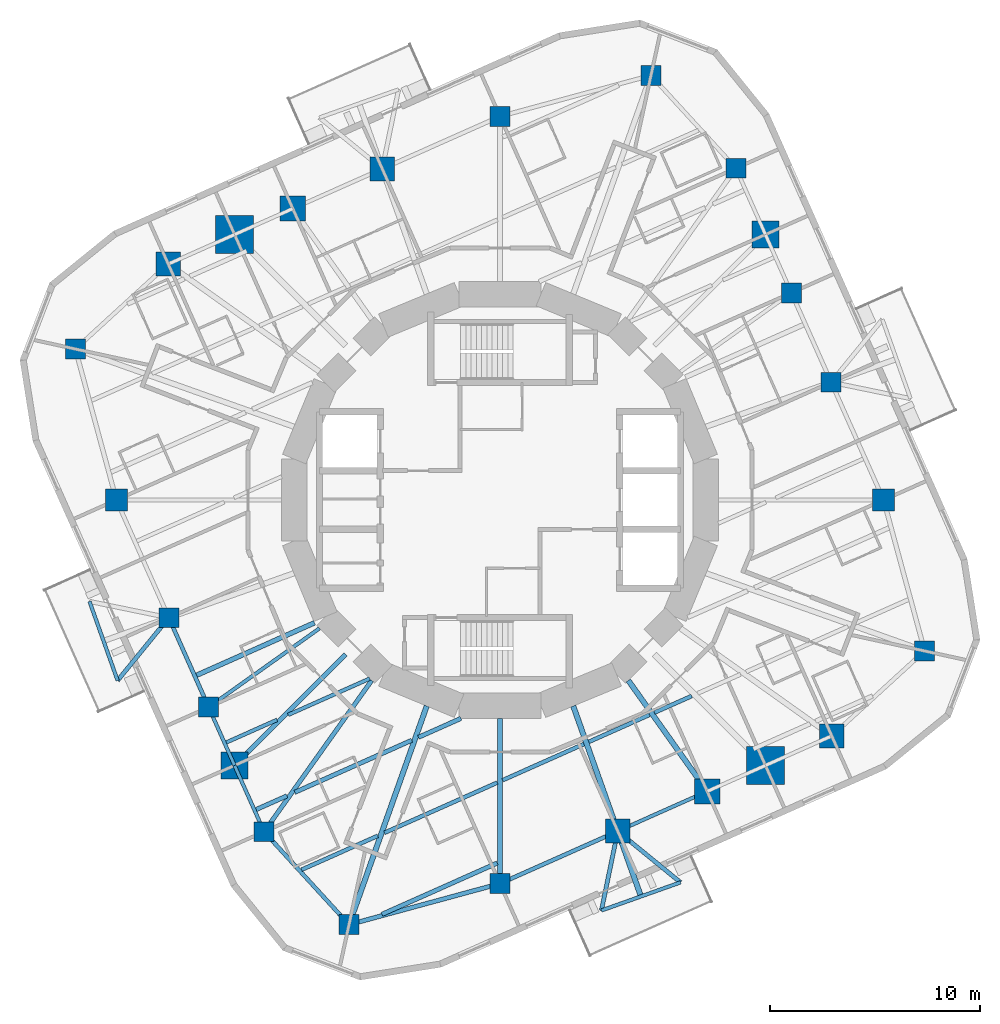
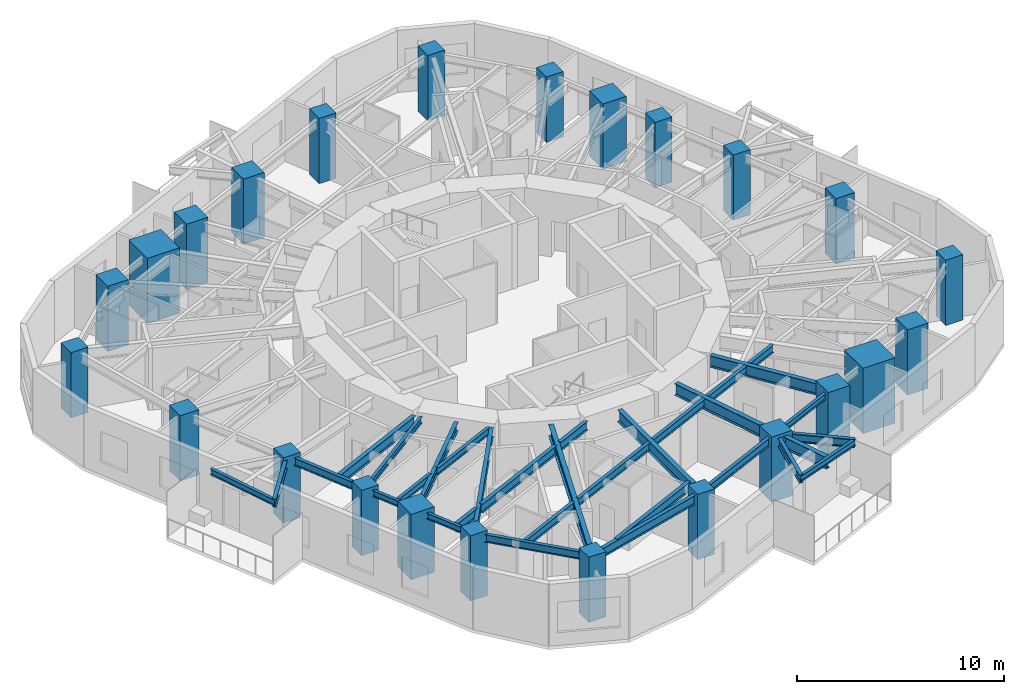
# One storey, part 1 of 12: 31 beams, 24 columns.
"""IFC4 building model written with IfcOpenShell, lengths in metres."""

from ifc_helpers import new_model, si_unit, direction, frame, origin, origin_2d, place, context, subcontext, project, spatial, rectangle, i_section, extrude, material, material_profile, profile_set, type_object, element, save


model = new_model("IFC4")

# Units and contexts
model_context = context("Model", 3, precision=1e-05, world=origin(), true_north=direction((0.0, 1.0)))
body_context = subcontext(model_context, "Body", "Model", "MODEL_VIEW")
ifc_project = project(units=[si_unit("LENGTHUNIT", "METRE"), si_unit("AREAUNIT", "SQUARE_METRE"), si_unit("VOLUMEUNIT", "CUBIC_METRE"), si_unit("PLANEANGLEUNIT", "RADIAN"), si_unit("MASSUNIT", "GRAM", prefix="KILO")], contexts=[model_context])

# Site, building, storey
site_placement = place(None, origin())
site = spatial("IfcSite", under=ifc_project, at=site_placement, CompositionType="ELEMENT")
building_placement = place(site_placement, origin())
building = spatial("IfcBuilding", under=site, at=building_placement, Name="Nakasero Lantern House", CompositionType="ELEMENT")
storey_placement = place(building_placement, frame((0.0, 0.0, 205.550048828125)))
storey = spatial("IfcBuildingStorey", under=building, at=storey_placement, Name="L50", CompositionType="ELEMENT", Elevation=205.550048828125)

# Columns
ifc_material_1 = material(Name="Concrete C45/55", Category="concrete")
ifc_material_profile_1 = material_profile(ifc_material_1, rectangle(XDim=1.300048828125, YDim=1.300048828125, at=origin_2d()), Name="RC 1300x1300")
ifc_profile_set_1 = profile_set([ifc_material_profile_1], Name="Concrete C45/55")
column_type_1 = type_object("IfcColumnType", Name="Mega column RC 1300x1300 C45/55", PredefinedType="COLUMN", material=ifc_profile_set_1)
for number, where, z_axis, x_axis, name in (
    (1, (12.64892578125, 12.64892578125, 0.0), (0.0, 0.0, 1.0), (1.0, 0.0, 0.0), "Column B5-C06 L50"),
    (2, (-12.64892578125, -12.64892578125, 0.0), (0.0, 0.0, 1.0), (1.0, 0.0, 0.0), "Column B5-C18 L50"),
):
    element("IfcColumn", number, at=place(storey_placement, frame(where, z_axis=z_axis, x_axis=x_axis)), inside=storey, type_object=column_type_1, Name=name, PredefinedType="COLUMN", context=body_context, shape_type="SweptSolid", body=[
        extrude(rectangle(XDim=1.300048828125, YDim=1.300048828125, at=origin_2d()), origin(), (0.0, 0.0, 1.0), 3.849853515625),
    ])
ifc_material_2 = material(Name="Concrete C45/55", Category="concrete")
ifc_material_profile_2 = material_profile(ifc_material_2, rectangle(XDim=1.800048828125, YDim=1.800048828125, at=origin_2d()), Name="RC 1800x1800")
ifc_profile_set_2 = profile_set([ifc_material_profile_2], Name="Concrete C45/55")
column_type_2 = type_object("IfcColumnType", Name="Mega column RC 1800x1800 C45/55", PredefinedType="COLUMN", material=ifc_profile_set_2)
for number, where, z_axis, x_axis, name in (
    (3, (-12.64892578125, 12.64892578125, 0.0), (0.0, 0.0, 1.0), (1.0, 0.0, 0.0), "Column B5-C12 L50"),
    (4, (12.64892578125, -12.64892578125, 0.0), (0.0, 0.0, 1.0), (1.0, 0.0, 0.0), "Column B5-C24 L50"),
):
    element("IfcColumn", number, at=place(storey_placement, frame(where, z_axis=z_axis, x_axis=x_axis)), inside=storey, type_object=column_type_2, Name=name, PredefinedType="COLUMN", context=body_context, shape_type="SweptSolid", body=[
        extrude(rectangle(XDim=1.800048828125, YDim=1.800048828125, at=origin_2d()), origin(), (0.0, 0.0, 1.0), 3.849853515625),
    ])
ifc_material_3 = material(Name="Concrete C45/55", Category="concrete")
ifc_material_profile_3 = material_profile(ifc_material_3, rectangle(XDim=1.050048828125, YDim=1.050048828125, at=origin_2d()), Name="RC 1050x1050")
ifc_profile_set_3 = profile_set([ifc_material_profile_3], Name="Concrete C45/55")
column_type_3 = type_object("IfcColumnType", Name="Ring column RC 1050x1050 C45/55", PredefinedType="COLUMN", material=ifc_profile_set_3)
for number, where, z_axis, x_axis, name in (
    (5, (18.280517578125, 0.0, 0.0), (0.0, 0.0, 1.0), (1.0, 0.0, 0.0), "Column B5-C03 L50"),
    (6, (-18.280517578125, 0.0, 0.0), (0.0, 0.0, 1.0), (1.0, 0.0, 0.0), "Column B5-C15 L50"),
):
    element("IfcColumn", number, at=place(storey_placement, frame(where, z_axis=z_axis, x_axis=x_axis)), inside=storey, type_object=column_type_3, Name=name, PredefinedType="COLUMN", context=body_context, shape_type="SweptSolid", body=[
        extrude(rectangle(XDim=1.050048828125, YDim=1.050048828125, at=origin_2d()), origin(), (0.0, 0.0, 1.0), 3.849853515625),
    ])
ifc_material_4 = material(Name="Concrete C45/55", Category="concrete")
ifc_material_profile_4 = material_profile(ifc_material_4, rectangle(XDim=1.14990234375, YDim=1.14990234375, at=origin_2d()), Name="RC 1150x1150")
ifc_profile_set_4 = profile_set([ifc_material_profile_4], Name="Concrete C45/55")
column_type_4 = type_object("IfcColumnType", Name="Ring column RC 1150x1150 C45/55", PredefinedType="COLUMN", material=ifc_profile_set_4)
for number, where, z_axis, x_axis, name in (
    (7, (15.808837890625, -11.241943359375, 0.0), (0.0, 0.0, 1.0), (1.0, 0.0, 0.0), "Column B5-C01 L50"),
    (8, (-5.611328125, 15.781982421875, 0.0), (0.0, 0.0, 1.0), (1.0, 0.0, 0.0), "Column B5-C10 L50"),
    (9, (-15.808837890625, 11.241943359375, 0.0), (0.0, 0.0, 1.0), (1.0, 0.0, 0.0), "Column B5-C13 L50"),
    (10, (5.611328125, -15.781982421875, 0.0), (0.0, 0.0, 1.0), (1.0, 0.0, 0.0), "Column B5-C22 L50"),
):
    element("IfcColumn", number, at=place(storey_placement, frame(where, z_axis=z_axis, x_axis=x_axis)), inside=storey, type_object=column_type_4, Name=name, PredefinedType="COLUMN", context=body_context, shape_type="SweptSolid", body=[
        extrude(rectangle(XDim=1.14990234375, YDim=1.14990234375, at=origin_2d()), origin(), (0.0, 0.0, 1.0), 3.849853515625),
    ])
ifc_material_5 = material(Name="Concrete C45/55", Category="concrete")
ifc_material_profile_5 = material_profile(ifc_material_5, rectangle(XDim=1.199951171875, YDim=1.199951171875, at=origin_2d()), Name="RC 1200x1200")
ifc_profile_set_5 = profile_set([ifc_material_profile_5], Name="Concrete C45/55")
column_type_5 = type_object("IfcColumnType", Name="Ring column RC 1200x1200 C45/55", PredefinedType="COLUMN", material=ifc_profile_set_5)
for number, where, z_axis, x_axis, name in (
    (11, (-9.87353515625, 13.884521484375, 0.0), (0.0, 0.0, 1.0), (1.0, 0.0, 0.0), "Column B5-C11 L50"),
    (12, (9.87353515625, -13.884521484375, 0.0), (0.0, 0.0, 1.0), (1.0, 0.0, 0.0), "Column B5-C23 L50"),
):
    element("IfcColumn", number, at=place(storey_placement, frame(where, z_axis=z_axis, x_axis=x_axis)), inside=storey, type_object=column_type_5, Name=name, PredefinedType="COLUMN", context=body_context, shape_type="SweptSolid", body=[
        extrude(rectangle(XDim=1.199951171875, YDim=1.199951171875, at=origin_2d()), origin(), (0.0, 0.0, 1.0), 3.849853515625),
    ])
ifc_material_6 = material(Name="Concrete C45/55", Category="concrete")
ifc_material_profile_6 = material_profile(ifc_material_6, rectangle(XDim=0.949951171875, YDim=0.949951171875, at=origin_2d()), Name="RC 950x950")
ifc_profile_set_6 = profile_set([ifc_material_profile_6], Name="Concrete C45/55")
column_type_6 = type_object("IfcColumnType", Name="Ring column RC 950x950 C45/55", PredefinedType="COLUMN", material=ifc_profile_set_6)
for number, where, z_axis, x_axis, name in (
    (13, (20.2353515625, -7.19482421875, 0.0), (0.0, 0.0, 1.0), (1.0, 0.0, 0.0), "Column B5-C02 L50"),
    (14, (15.781982421875, 5.611328125, 0.0), (0.0, 0.0, 1.0), (1.0, 0.0, 0.0), "Column B5-C04 L50"),
    (15, (13.884521484375, 9.87353515625, 0.0), (0.0, 0.0, 1.0), (1.0, 0.0, 0.0), "Column B5-C05 L50"),
    (16, (11.241943359375, 15.808837890625, 0.0), (0.0, 0.0, 1.0), (1.0, 0.0, 0.0), "Column B5-C07 L50"),
    (17, (7.19482421875, 20.2353515625, 0.0), (0.0, 0.0, 1.0), (1.0, 0.0, 0.0), "Column B5-C08 L50"),
    (18, (0.0, 18.280517578125, 0.0), (0.0, 0.0, 1.0), (1.0, 0.0, 0.0), "Column B5-C09 L50"),
    (19, (-20.2353515625, 7.19482421875, 0.0), (0.0, 0.0, 1.0), (1.0, 0.0, 0.0), "Column B5-C14 L50"),
    (20, (-15.781982421875, -5.611328125, 0.0), (0.0, 0.0, 1.0), (1.0, 0.0, 0.0), "Column B5-C16 L50"),
    (21, (-13.884521484375, -9.87353515625, 0.0), (0.0, 0.0, 1.0), (1.0, 0.0, 0.0), "Column B5-C17 L50"),
    (22, (-11.241943359375, -15.808837890625, 0.0), (0.0, 0.0, 1.0), (1.0, 0.0, 0.0), "Column B5-C19 L50"),
    (23, (-7.19482421875, -20.2353515625, 0.0), (0.0, 0.0, 1.0), (1.0, 0.0, 0.0), "Column B5-C20 L50"),
    (24, (0.0, -18.280517578125, 0.0), (0.0, 0.0, 1.0), (1.0, 0.0, 0.0), "Column B5-C21 L50"),
):
    element("IfcColumn", number, at=place(storey_placement, frame(where, z_axis=z_axis, x_axis=x_axis)), inside=storey, type_object=column_type_6, Name=name, PredefinedType="COLUMN", context=body_context, shape_type="SweptSolid", body=[
        extrude(rectangle(XDim=0.949951171875, YDim=0.949951171875, at=origin_2d()), origin(), (0.0, 0.0, 1.0), 3.849853515625),
    ])

# Beams
ifc_material_7 = material(Name="Steel S355", Category="steel")
ifc_material_profile_7 = material_profile(ifc_material_7, i_section(OverallWidth=0.199462890625, OverallDepth=0.491943359375, WebThickness=0.01806640625, FlangeThickness=0.031982421875, FilletRadius=0.01025390625, at=origin_2d()), Name="UB 457x191x161")
ifc_profile_set_7 = profile_set([ifc_material_profile_7], Name="Steel S355")
beam_type_1 = type_object("IfcBeamType", Name="Balcony splay beam UB 457x191x161", PredefinedType="BEAM", material=ifc_profile_set_7)
for number, where, z_axis, x_axis, name in (
    (25, (-15.781982421875, -5.611328125, 3.404052734375), (-0.632165712937, -0.774833215206, 0.0), (0.774833215206, -0.632165712937, 0.0), "Balcony splay beam L51 B5-C16A"),
    (26, (5.611328125, -15.781982421875, 3.404052734375), (0.774833215206, -0.632165712937, 0.0), (0.632165712937, 0.774833215206, 0.0), "Balcony splay beam L51 B5-C22A"),
):
    element("IfcBeam", number, at=place(storey_placement, frame(where, z_axis=z_axis, x_axis=x_axis)), inside=storey, type_object=beam_type_1, Name=name, PredefinedType="BEAM", context=body_context, shape_type="SweptSolid", body=[
        extrude(i_section(OverallWidth=0.199462890625, OverallDepth=0.491943359375, WebThickness=0.01806640625, FlangeThickness=0.031982421875, FilletRadius=0.01025390625, at=origin_2d()), origin(), (0.0, 0.0, 1.0), 3.85888671875),
    ])
beam_1_placement = place(storey_placement, frame((5.611328125, -15.781982421875, 3.404052734375), z_axis=(-0.201831438605, -0.979420272605, 0.0), x_axis=(0.979420272605, -0.201831438605, 0.0)))
element("IfcBeam", 27, at=beam_1_placement, inside=storey, type_object=beam_type_1, Name="Balcony splay beam L51 B5-C22B", PredefinedType="BEAM", context=body_context, shape_type="SweptSolid", body=[
    extrude(i_section(OverallWidth=0.199462890625, OverallDepth=0.491943359375, WebThickness=0.01806640625, FlangeThickness=0.031982421875, FilletRadius=0.01025390625, at=origin_2d()), origin(), (0.0, 0.0, 1.0), 3.858642578125),
])
ifc_material_8 = material(Name="Steel S355", Category="steel")
ifc_material_profile_8 = material_profile(ifc_material_8, i_section(OverallWidth=0.17138671875, OverallDepth=0.35498046875, WebThickness=0.00732421875, FlangeThickness=0.011474609375, FilletRadius=0.01025390625, at=origin_2d()), Name="UB 356x171x51")
ifc_profile_set_8 = profile_set([ifc_material_profile_8], Name="Steel S355")
beam_type_2 = type_object("IfcBeamType", Name="Balcony tie beam UB 356x171x51", PredefinedType="BEAM", material=ifc_profile_set_8)
for number, where, z_axis, x_axis, name in (
    (28, (-18.221435546875, -8.601318359375, 3.472412109375), (-0.334971134582, 0.94222839004, 0.0), (-0.94222839004, -0.334971134582, 0.0), "Balcony tie beam L51 B5-C16"),
    (29, (8.601318359375, -18.221435546875, 3.472412109375), (-0.94222839004, -0.334971134582, 0.0), (0.334971134582, -0.94222839004, 0.0), "Balcony tie beam L51 B5-C22"),
):
    element("IfcBeam", number, at=place(storey_placement, frame(where, z_axis=z_axis, x_axis=x_axis)), inside=storey, type_object=beam_type_2, Name=name, PredefinedType="BEAM", context=body_context, shape_type="SweptSolid", body=[
        extrude(i_section(OverallWidth=0.17138671875, OverallDepth=0.35498046875, WebThickness=0.00732421875, FlangeThickness=0.011474609375, FilletRadius=0.01025390625, at=origin_2d()), origin(), (0.0, 0.0, 1.0), 4.0),
    ])
ifc_material_9 = material(Name="Steel S355", Category="steel")
ifc_material_profile_9 = material_profile(ifc_material_9, i_section(OverallWidth=0.177978515625, OverallDepth=0.406494140625, WebThickness=0.0078125, FlangeThickness=0.0126953125, FilletRadius=0.01025390625, at=origin_2d()), Name="UB 406x178x60")
ifc_profile_set_9 = profile_set([ifc_material_profile_9], Name="Steel S355")
beam_type_3 = type_object("IfcBeamType", Name="Infill beam UB 406x178x60", PredefinedType="JOIST", material=ifc_profile_set_9)
beam_2_placement = place(storey_placement, frame((-13.04248046875, -11.5537109375, 3.44677734375), z_axis=(0.913529602849, 0.406772251658, 0.0), x_axis=(-0.406772251658, 0.913529602849, 0.0)))
element("IfcBeam", 30, at=beam_2_placement, inside=storey, type_object=beam_type_3, Name="Infill beam L51 06.1", PredefinedType="JOIST", context=body_context, shape_type="SweptSolid", body=[
    extrude(i_section(OverallWidth=0.177978515625, OverallDepth=0.406494140625, WebThickness=0.0078125, FlangeThickness=0.0126953125, FilletRadius=0.01025390625, at=origin_2d()), origin(), (0.0, 0.0, 1.0), 2.64453125),
])
beam_3_placement = place(storey_placement, frame((-10.09130859375, -10.23974609375, 3.44677734375), z_axis=(0.91354134882, 0.406745871517, 0.0), x_axis=(-0.406745871517, 0.91354134882, 0.0)))
element("IfcBeam", 31, at=beam_3_placement, inside=storey, type_object=beam_type_3, Name="Infill beam L51 06.2", PredefinedType="JOIST", context=body_context, shape_type="SweptSolid", body=[
    extrude(i_section(OverallWidth=0.177978515625, OverallDepth=0.406494140625, WebThickness=0.0078125, FlangeThickness=0.0126953125, FilletRadius=0.01025390625, at=origin_2d()), origin(), (0.0, 0.0, 1.0), 4.250732421875),
])
ifc_material_10 = material(Name="Steel S355", Category="steel")
ifc_material_profile_10 = material_profile(ifc_material_10, i_section(OverallWidth=0.18994140625, OverallDepth=0.453369140625, WebThickness=0.008544921875, FlangeThickness=0.0126953125, FilletRadius=0.01025390625, at=origin_2d()), Name="UB 457x191x67")
ifc_profile_set_10 = profile_set([ifc_material_profile_10], Name="Steel S355")
beam_type_4 = type_object("IfcBeamType", Name="Infill beam UB 457x191x67", PredefinedType="JOIST", material=ifc_profile_set_10)
beam_4_placement = place(storey_placement, frame((-9.457275390625, -17.619873046875, 3.42333984375), z_axis=(0.91354552237, 0.406736497695, 0.0), x_axis=(-0.406736497695, 0.91354552237, 0.0)))
element("IfcBeam", 32, at=beam_4_placement, inside=storey, type_object=beam_type_4, Name="Infill beam L51 04.1", PredefinedType="JOIST", context=body_context, shape_type="SweptSolid", body=[
    extrude(i_section(OverallWidth=0.18994140625, OverallDepth=0.453369140625, WebThickness=0.008544921875, FlangeThickness=0.0126953125, FilletRadius=0.01025390625, at=origin_2d()), origin(), (0.0, 0.0, 1.0), 3.9765625),
])
beam_5_placement = place(storey_placement, frame((-5.50439453125, -15.860107421875, 3.42333984375), z_axis=(0.913539401307, 0.406750245556, 0.0), x_axis=(-0.406750245556, 0.913539401307, 0.0)))
element("IfcBeam", 33, at=beam_5_placement, inside=storey, type_object=beam_type_4, Name="Infill beam L51 04.2", PredefinedType="JOIST", context=body_context, shape_type="SweptSolid", body=[
    extrude(i_section(OverallWidth=0.18994140625, OverallDepth=0.453369140625, WebThickness=0.008544921875, FlangeThickness=0.0126953125, FilletRadius=0.01025390625, at=origin_2d()), origin(), (0.0, 0.0, 1.0), 5.886474609375),
])
beam_6_placement = place(storey_placement, frame((0.126953125, -13.352783203125, 3.42333984375), z_axis=(0.913552455182, 0.40672092598, 0.0), x_axis=(-0.40672092598, 0.913552455182, 0.0)))
element("IfcBeam", 34, at=beam_6_placement, inside=storey, type_object=beam_type_4, Name="Infill beam L51 04.3", PredefinedType="JOIST", context=body_context, shape_type="SweptSolid", body=[
    extrude(i_section(OverallWidth=0.18994140625, OverallDepth=0.453369140625, WebThickness=0.008544921875, FlangeThickness=0.0126953125, FilletRadius=0.01025390625, at=origin_2d()), origin(), (0.0, 0.0, 1.0), 4.238525390625),
])
beam_7_placement = place(storey_placement, frame((4.2333984375, -11.5244140625, 3.42333984375), z_axis=(0.913544106346, 0.406739678123, 0.0), x_axis=(-0.406739678123, 0.913544106346, 0.0)))
element("IfcBeam", 35, at=beam_7_placement, inside=storey, type_object=beam_type_4, Name="Infill beam L51 04.4", PredefinedType="JOIST", context=body_context, shape_type="SweptSolid", body=[
    extrude(i_section(OverallWidth=0.18994140625, OverallDepth=0.453369140625, WebThickness=0.008544921875, FlangeThickness=0.0126953125, FilletRadius=0.01025390625, at=origin_2d()), origin(), (0.0, 0.0, 1.0), 3.16455078125),
])
beam_8_placement = place(storey_placement, frame((7.360595703125, -10.132080078125, 3.42333984375), z_axis=(0.913562609985, 0.406698116097, 0.0), x_axis=(-0.406698116097, 0.913562609985, 0.0)))
element("IfcBeam", 36, at=beam_8_placement, inside=storey, type_object=beam_type_4, Name="Infill beam L51 04.5", PredefinedType="JOIST", context=body_context, shape_type="SweptSolid", body=[
    extrude(i_section(OverallWidth=0.18994140625, OverallDepth=0.453369140625, WebThickness=0.008544921875, FlangeThickness=0.0126953125, FilletRadius=0.01025390625, at=origin_2d()), origin(), (0.0, 0.0, 1.0), 1.942626953125),
])
ifc_material_11 = material(Name="Steel S355", Category="steel")
ifc_material_profile_11 = material_profile(ifc_material_11, i_section(OverallWidth=0.2099609375, OverallDepth=0.53662109375, WebThickness=0.0107421875, FlangeThickness=0.017333984375, FilletRadius=0.0126953125, at=origin_2d()), Name="UB 533x210x101")
ifc_profile_set_11 = profile_set([ifc_material_profile_11], Name="Steel S355")
beam_type_5 = type_object("IfcBeamType", Name="Infill beam UB 533x210x101", PredefinedType="JOIST", material=ifc_profile_set_11)
beam_9_placement = place(storey_placement, frame((-5.626708984375, -19.745849609375, 3.381591796875), z_axis=(0.913540433669, 0.406747926919, 0.0), x_axis=(-0.406747926919, 0.913540433669, 0.0)))
element("IfcBeam", 37, at=beam_9_placement, inside=storey, type_object=beam_type_5, Name="Infill beam L51 03.1", PredefinedType="JOIST", context=body_context, shape_type="SweptSolid", body=[
    extrude(i_section(OverallWidth=0.2099609375, OverallDepth=0.53662109375, WebThickness=0.0107421875, FlangeThickness=0.017333984375, FilletRadius=0.0126953125, at=origin_2d()), origin(), (0.0, 0.0, 1.0), 6.020263671875),
])
ifc_material_12 = material(Name="Steel S355", Category="steel")
ifc_material_profile_12 = material_profile(ifc_material_12, i_section(OverallWidth=0.208740234375, OverallDepth=0.5283203125, WebThickness=0.009521484375, FlangeThickness=0.01318359375, FilletRadius=0.0126953125, at=origin_2d()), Name="UB 533x210x82")
ifc_profile_set_12 = profile_set([ifc_material_profile_12], Name="Steel S355")
beam_type_6 = type_object("IfcBeamType", Name="Infill beam UB 533x210x82", PredefinedType="JOIST", material=ifc_profile_set_12)
beam_10_placement = place(storey_placement, frame((-11.618896484375, -14.751220703125, 3.3857421875), z_axis=(0.913522313414, 0.406788621884, 0.0), x_axis=(-0.406788621884, 0.913522313414, 0.0)))
element("IfcBeam", 38, at=beam_10_placement, inside=storey, type_object=beam_type_6, Name="Infill beam L51 05.1", PredefinedType="JOIST", context=body_context, shape_type="SweptSolid", body=[
    extrude(i_section(OverallWidth=0.208740234375, OverallDepth=0.5283203125, WebThickness=0.009521484375, FlangeThickness=0.01318359375, FilletRadius=0.0126953125, at=origin_2d()), origin(), (0.0, 0.0, 1.0), 1.6025390625),
])
beam_11_placement = place(storey_placement, frame((-9.778076171875, -13.931640625, 3.3857421875), z_axis=(0.913537341067, 0.406754872713, 0.0), x_axis=(-0.406754872713, 0.913537341067, 0.0)))
element("IfcBeam", 39, at=beam_11_placement, inside=storey, type_object=beam_type_6, Name="Infill beam L51 05.2", PredefinedType="JOIST", context=body_context, shape_type="SweptSolid", body=[
    extrude(i_section(OverallWidth=0.208740234375, OverallDepth=0.5283203125, WebThickness=0.009521484375, FlangeThickness=0.01318359375, FilletRadius=0.0126953125, at=origin_2d()), origin(), (0.0, 0.0, 1.0), 6.099365234375),
])
beam_12_placement = place(storey_placement, frame((-3.885986328125, -11.308349609375, 3.3857421875), z_axis=(0.913538457968, 0.406752364238, 0.0), x_axis=(-0.406752364238, 0.913538457968, 0.0)))
element("IfcBeam", 40, at=beam_12_placement, inside=storey, type_object=beam_type_6, Name="Infill beam L51 05.3", PredefinedType="JOIST", context=body_context, shape_type="SweptSolid", body=[
    extrude(i_section(OverallWidth=0.208740234375, OverallDepth=0.5283203125, WebThickness=0.009521484375, FlangeThickness=0.01318359375, FilletRadius=0.0126953125, at=origin_2d()), origin(), (0.0, 0.0, 1.0), 2.213623046875),
])
ifc_material_13 = material(Name="Steel S355", Category="steel")
ifc_material_profile_13 = material_profile(ifc_material_13, i_section(OverallWidth=0.22900390625, OverallDepth=0.6123046875, WebThickness=0.011962890625, FlangeThickness=0.01953125, FilletRadius=0.0126953125, at=origin_2d()), Name="UB 610x229x125")
ifc_profile_set_13 = profile_set([ifc_material_profile_13], Name="Steel S355")
beam_type_7 = type_object("IfcBeamType", Name="Infill beam UB 610x229x125", PredefinedType="JOIST", material=ifc_profile_set_13)
beam_13_placement = place(storey_placement, frame((-14.457763671875, -8.3525390625, 3.34375), z_axis=(0.913552627294, 0.406720539393, 0.0), x_axis=(-0.406720539393, 0.913552627294, 0.0)))
element("IfcBeam", 41, at=beam_13_placement, inside=storey, type_object=beam_type_7, Name="Infill beam L51 07.1", PredefinedType="JOIST", context=body_context, shape_type="SweptSolid", body=[
    extrude(i_section(OverallWidth=0.22900390625, OverallDepth=0.6123046875, WebThickness=0.011962890625, FlangeThickness=0.01953125, FilletRadius=0.0126953125, at=origin_2d()), origin(), (0.0, 0.0, 1.0), 6.14794921875),
])
ifc_material_14 = material(Name="Steel S355", Category="steel")
ifc_material_profile_14 = material_profile(ifc_material_14, i_section(OverallWidth=0.17138671875, OverallDepth=0.35498046875, WebThickness=0.00732421875, FlangeThickness=0.011474609375, FilletRadius=0.01025390625, at=origin_2d()), Name="UB 356x171x51")
ifc_profile_set_14 = profile_set([ifc_material_profile_14], Name="Steel S355")
beam_type_8 = type_object("IfcBeamType", Name="Primary beam UB 356x171x51, span 6 to 9 m", PredefinedType="BEAM", material=ifc_profile_set_14)
beam_14_placement = place(storey_placement, frame((-13.884521484375, -9.87353515625, 3.472412109375), z_axis=(0.8149430702, 0.57954101868, 0.0), x_axis=(-0.57954101868, 0.8149430702, 0.0)))
element("IfcBeam", 42, at=beam_14_placement, inside=storey, type_object=beam_type_8, Name="Primary beam L51 B5-C17", PredefinedType="BEAM", context=body_context, shape_type="SweptSolid", body=[
    extrude(i_section(OverallWidth=0.17138671875, OverallDepth=0.35498046875, WebThickness=0.00732421875, FlangeThickness=0.011474609375, FilletRadius=0.01025390625, at=origin_2d()), origin(), (0.0, 0.0, 1.0), 6.48193359375),
])
ifc_material_15 = material(Name="Steel S355", Category="steel")
ifc_material_profile_15 = material_profile(ifc_material_15, i_section(OverallWidth=0.2099609375, OverallDepth=0.53662109375, WebThickness=0.0107421875, FlangeThickness=0.017333984375, FilletRadius=0.0126953125, at=origin_2d()), Name="UB 533x210x101")
ifc_profile_set_15 = profile_set([ifc_material_profile_15], Name="Steel S355")
beam_type_9 = type_object("IfcBeamType", Name="Primary beam UB 533x210x101, span 6 to 9 m", PredefinedType="BEAM", material=ifc_profile_set_15)
beam_15_placement = place(storey_placement, frame((-12.64892578125, -12.64892578125, 3.381591796875), z_axis=(0.707106781187, 0.707106781187, 0.0), x_axis=(-0.707106781187, 0.707106781187, 0.0)))
element("IfcBeam", 43, at=beam_15_placement, inside=storey, type_object=beam_type_9, Name="Primary beam L51 B5-C18", PredefinedType="BEAM", context=body_context, shape_type="SweptSolid", body=[
    extrude(i_section(OverallWidth=0.2099609375, OverallDepth=0.53662109375, WebThickness=0.0107421875, FlangeThickness=0.017333984375, FilletRadius=0.0126953125, at=origin_2d()), origin(), (0.0, 0.0, 1.0), 7.48046875),
])
beam_16_placement = place(storey_placement, frame((-11.241943359375, -15.808837890625, 3.381591796875), z_axis=(0.579536824926, 0.814946052543, 0.0), x_axis=(-0.814946052543, 0.579536824926, 0.0)))
element("IfcBeam", 44, at=beam_16_placement, inside=storey, type_object=beam_type_9, Name="Primary beam L51 B5-C19", PredefinedType="BEAM", context=body_context, shape_type="SweptSolid", body=[
    extrude(i_section(OverallWidth=0.2099609375, OverallDepth=0.53662109375, WebThickness=0.0107421875, FlangeThickness=0.017333984375, FilletRadius=0.0126953125, at=origin_2d()), origin(), (0.0, 0.0, 1.0), 8.84326171875),
])
ifc_material_16 = material(Name="Steel S355", Category="steel")
ifc_material_profile_16 = material_profile(ifc_material_16, i_section(OverallWidth=0.253662109375, OverallDepth=0.68359375, WebThickness=0.012451171875, FlangeThickness=0.01904296875, FilletRadius=0.01513671875, at=origin_2d()), Name="UB 686x254x140")
ifc_profile_set_16 = profile_set([ifc_material_profile_16], Name="Steel S355")
beam_type_10 = type_object("IfcBeamType", Name="Primary beam UB 686x254x140, span 6 to 9 m", PredefinedType="BEAM", material=ifc_profile_set_16)
beam_17_placement = place(storey_placement, frame((0.0, -18.280517578125, 3.30810546875), z_axis=(0.0, 1.0, 0.0), x_axis=(-1.0, 0.0, 0.0)))
element("IfcBeam", 45, at=beam_17_placement, inside=storey, type_object=beam_type_10, Name="Primary beam L51 B5-C21", PredefinedType="BEAM", context=body_context, shape_type="SweptSolid", body=[
    extrude(i_section(OverallWidth=0.253662109375, OverallDepth=0.68359375, WebThickness=0.012451171875, FlangeThickness=0.01904296875, FilletRadius=0.01513671875, at=origin_2d()), origin(), (0.0, 0.0, 1.0), 7.87255859375),
])
beam_18_placement = place(storey_placement, frame((9.87353515625, -13.884521484375, 3.30810546875), z_axis=(-0.57954101868, 0.8149430702, 0.0), x_axis=(-0.8149430702, -0.57954101868, 0.0)))
element("IfcBeam", 46, at=beam_18_placement, inside=storey, type_object=beam_type_10, Name="Primary beam L51 B5-C23", PredefinedType="BEAM", context=body_context, shape_type="SweptSolid", body=[
    extrude(i_section(OverallWidth=0.253662109375, OverallDepth=0.68359375, WebThickness=0.012451171875, FlangeThickness=0.01904296875, FilletRadius=0.01513671875, at=origin_2d()), origin(), (0.0, 0.0, 1.0), 6.48193359375),
])
ifc_material_17 = material(Name="Steel S355", Category="steel")
ifc_material_profile_17 = material_profile(ifc_material_17, i_section(OverallWidth=0.253662109375, OverallDepth=0.68359375, WebThickness=0.012451171875, FlangeThickness=0.01904296875, FilletRadius=0.01513671875, at=origin_2d()), Name="UB 686x254x140")
ifc_profile_set_17 = profile_set([ifc_material_profile_17], Name="Steel S355")
beam_type_11 = type_object("IfcBeamType", Name="Primary beam UB 686x254x140, span 9 to 12 m", PredefinedType="BEAM", material=ifc_profile_set_17)
beam_19_placement = place(storey_placement, frame((-7.19482421875, -20.2353515625, 3.30810546875), z_axis=(0.335020995468, 0.942210662535, 0.0), x_axis=(-0.942210662535, 0.335020995468, 0.0)))
element("IfcBeam", 47, at=beam_19_placement, inside=storey, type_object=beam_type_11, Name="Primary beam L51 B5-C20", PredefinedType="BEAM", context=body_context, shape_type="SweptSolid", body=[
    extrude(i_section(OverallWidth=0.253662109375, OverallDepth=0.68359375, WebThickness=0.012451171875, FlangeThickness=0.01904296875, FilletRadius=0.01513671875, at=origin_2d()), origin(), (0.0, 0.0, 1.0), 11.054931640625),
])
ifc_material_18 = material(Name="Steel S355", Category="steel")
ifc_material_profile_18 = material_profile(ifc_material_18, i_section(OverallWidth=0.255859375, OverallDepth=0.69287109375, WebThickness=0.014404296875, FlangeThickness=0.023681640625, FilletRadius=0.01513671875, at=origin_2d()), Name="UB 686x254x170")
ifc_profile_set_18 = profile_set([ifc_material_profile_18], Name="Steel S355")
beam_type_12 = type_object("IfcBeamType", Name="Primary beam UB 686x254x170, span 6 to 9 m", PredefinedType="BEAM", material=ifc_profile_set_18)
beam_20_placement = place(storey_placement, frame((6.717041015625, -18.891357421875, 3.303466796875), z_axis=(-0.335030177005, 0.942207397814, 0.0), x_axis=(-0.942207397814, -0.335030177005, 0.0)))
element("IfcBeam", 48, at=beam_20_placement, inside=storey, type_object=beam_type_12, Name="Primary beam L51 B5-C22", PredefinedType="BEAM", context=body_context, shape_type="SweptSolid", body=[
    extrude(i_section(OverallWidth=0.255859375, OverallDepth=0.69287109375, WebThickness=0.014404296875, FlangeThickness=0.023681640625, FilletRadius=0.01513671875, at=origin_2d()), origin(), (0.0, 0.0, 1.0), 9.62841796875),
])
ifc_material_19 = material(Name="Steel S355", Category="steel")
ifc_material_profile_19 = material_profile(ifc_material_19, i_section(OverallWidth=0.17138671875, OverallDepth=0.35498046875, WebThickness=0.00732421875, FlangeThickness=0.011474609375, FilletRadius=0.01025390625, at=origin_2d()), Name="UB 356x171x51")
ifc_profile_set_19 = profile_set([ifc_material_profile_19], Name="Steel S355")
beam_type_13 = type_object("IfcBeamType", Name="Ring beam UB 356x171x51", PredefinedType="BEAM", material=ifc_profile_set_19)
beam_21_placement = place(storey_placement, frame((-13.884521484375, -9.87353515625, 3.472412109375), z_axis=(0.40671251915, -0.913556197925, 0.0), x_axis=(0.913556197925, 0.40671251915, 0.0)))
element("IfcBeam", 49, at=beam_21_placement, inside=storey, type_object=beam_type_13, Name="Ring beam L51 B5-C17", PredefinedType="BEAM", context=body_context, shape_type="SweptSolid", body=[
    extrude(i_section(OverallWidth=0.17138671875, OverallDepth=0.35498046875, WebThickness=0.00732421875, FlangeThickness=0.011474609375, FilletRadius=0.01025390625, at=origin_2d()), origin(), (0.0, 0.0, 1.0), 3.0380859375),
])
beam_22_placement = place(storey_placement, frame((-12.64892578125, -12.64892578125, 3.472412109375), z_axis=(0.406760506795, -0.913534832457, 0.0), x_axis=(0.913534832457, 0.406760506795, 0.0)))
element("IfcBeam", 50, at=beam_22_placement, inside=storey, type_object=beam_type_13, Name="Ring beam L51 B5-C18", PredefinedType="BEAM", context=body_context, shape_type="SweptSolid", body=[
    extrude(i_section(OverallWidth=0.17138671875, OverallDepth=0.35498046875, WebThickness=0.00732421875, FlangeThickness=0.011474609375, FilletRadius=0.01025390625, at=origin_2d()), origin(), (0.0, 0.0, 1.0), 3.458984375),
])
beam_23_placement = place(storey_placement, frame((5.611328125, -15.781982421875, 3.472412109375), z_axis=(0.913561058639, 0.406701600856, 0.0), x_axis=(-0.406701600856, 0.913561058639, 0.0)))
element("IfcBeam", 51, at=beam_23_placement, inside=storey, type_object=beam_type_13, Name="Ring beam L51 B5-C22", PredefinedType="BEAM", context=body_context, shape_type="SweptSolid", body=[
    extrude(i_section(OverallWidth=0.17138671875, OverallDepth=0.35498046875, WebThickness=0.00732421875, FlangeThickness=0.011474609375, FilletRadius=0.01025390625, at=origin_2d()), origin(), (0.0, 0.0, 1.0), 4.66552734375),
])
ifc_material_20 = material(Name="Steel S355", Category="steel")
ifc_material_profile_20 = material_profile(ifc_material_20, i_section(OverallWidth=0.18994140625, OverallDepth=0.453369140625, WebThickness=0.008544921875, FlangeThickness=0.0126953125, FilletRadius=0.01025390625, at=origin_2d()), Name="UB 457x191x67")
ifc_profile_set_20 = profile_set([ifc_material_profile_20], Name="Steel S355")
beam_type_14 = type_object("IfcBeamType", Name="Ring beam UB 457x191x67", PredefinedType="BEAM", material=ifc_profile_set_20)
beam_24_placement = place(storey_placement, frame((-15.781982421875, -5.611328125, 3.42333984375), z_axis=(0.406701600856, -0.913561058639, 0.0), x_axis=(0.913561058639, 0.406701600856, 0.0)))
element("IfcBeam", 52, at=beam_24_placement, inside=storey, type_object=beam_type_14, Name="Ring beam L51 B5-C16", PredefinedType="BEAM", context=body_context, shape_type="SweptSolid", body=[
    extrude(i_section(OverallWidth=0.18994140625, OverallDepth=0.453369140625, WebThickness=0.008544921875, FlangeThickness=0.0126953125, FilletRadius=0.01025390625, at=origin_2d()), origin(), (0.0, 0.0, 1.0), 4.66552734375),
])
beam_25_placement = place(storey_placement, frame((-11.241943359375, -15.808837890625, 3.42333984375), z_axis=(0.674771099966, -0.73802707447, 0.0), x_axis=(0.73802707447, 0.674771099966, 0.0)))
element("IfcBeam", 53, at=beam_25_placement, inside=storey, type_object=beam_type_14, Name="Ring beam L51 B5-C19", PredefinedType="BEAM", context=body_context, shape_type="SweptSolid", body=[
    extrude(i_section(OverallWidth=0.18994140625, OverallDepth=0.453369140625, WebThickness=0.008544921875, FlangeThickness=0.0126953125, FilletRadius=0.01025390625, at=origin_2d()), origin(), (0.0, 0.0, 1.0), 5.997802734375),
])
ifc_material_21 = material(Name="Steel S355", Category="steel")
ifc_material_profile_21 = material_profile(ifc_material_21, i_section(OverallWidth=0.19140625, OverallDepth=0.4599609375, WebThickness=0.010009765625, FlangeThickness=0.01611328125, FilletRadius=0.01025390625, at=origin_2d()), Name="UB 457x191x82")
ifc_profile_set_21 = profile_set([ifc_material_profile_21], Name="Steel S355")
beam_type_15 = type_object("IfcBeamType", Name="Ring beam UB 457x191x82", PredefinedType="BEAM", material=ifc_profile_set_21)
beam_26_placement = place(storey_placement, frame((0.0, -18.280517578125, 3.419921875), z_axis=(0.913532698569, 0.406765299215, 0.0), x_axis=(-0.406765299215, 0.913532698569, 0.0)))
element("IfcBeam", 54, at=beam_26_placement, inside=storey, type_object=beam_type_15, Name="Ring beam L51 B5-C21", PredefinedType="BEAM", context=body_context, shape_type="SweptSolid", body=[
    extrude(i_section(OverallWidth=0.19140625, OverallDepth=0.4599609375, WebThickness=0.010009765625, FlangeThickness=0.01611328125, FilletRadius=0.01025390625, at=origin_2d()), origin(), (0.0, 0.0, 1.0), 6.142333984375),
])
ifc_material_22 = material(Name="Steel S355", Category="steel")
ifc_material_profile_22 = material_profile(ifc_material_22, i_section(OverallWidth=0.208740234375, OverallDepth=0.5283203125, WebThickness=0.009521484375, FlangeThickness=0.01318359375, FilletRadius=0.0126953125, at=origin_2d()), Name="UB 533x210x82")
ifc_profile_set_22 = profile_set([ifc_material_profile_22], Name="Steel S355")
beam_type_16 = type_object("IfcBeamType", Name="Ring beam UB 533x210x82", PredefinedType="BEAM", material=ifc_profile_set_22)
beam_27_placement = place(storey_placement, frame((-7.19482421875, -20.2353515625, 3.3857421875), z_axis=(0.965015017941, 0.26219461312, 0.0), x_axis=(-0.26219461312, 0.965015017941, 0.0)))
element("IfcBeam", 55, at=beam_27_placement, inside=storey, type_object=beam_type_16, Name="Ring beam L51 B5-C20", PredefinedType="BEAM", context=body_context, shape_type="SweptSolid", body=[
    extrude(i_section(OverallWidth=0.208740234375, OverallDepth=0.5283203125, WebThickness=0.009521484375, FlangeThickness=0.01318359375, FilletRadius=0.0126953125, at=origin_2d()), origin(), (0.0, 0.0, 1.0), 7.45556640625),
])

save(model, "model.ifc")
